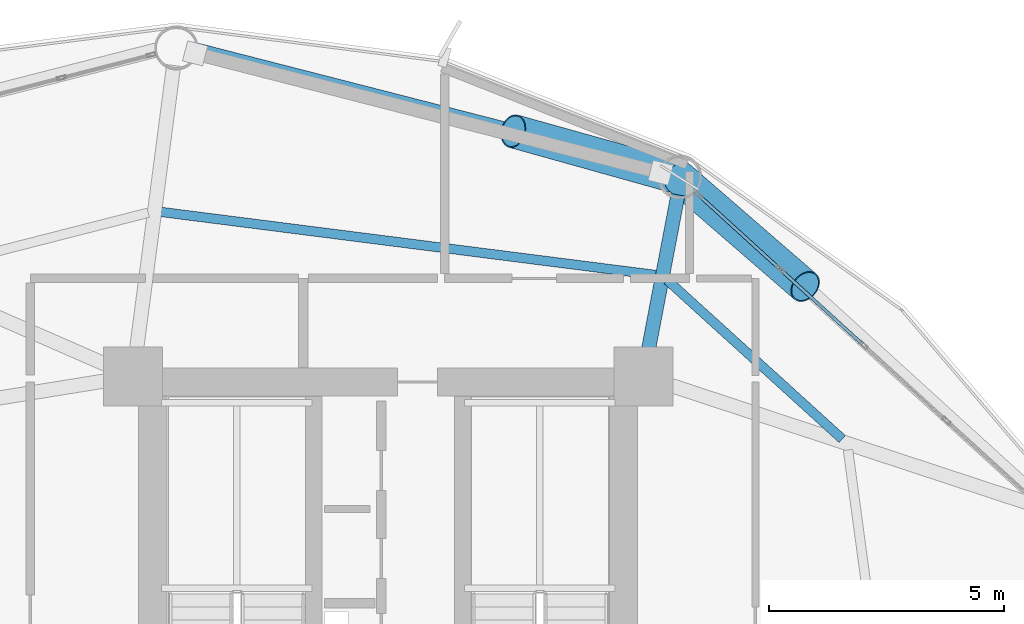
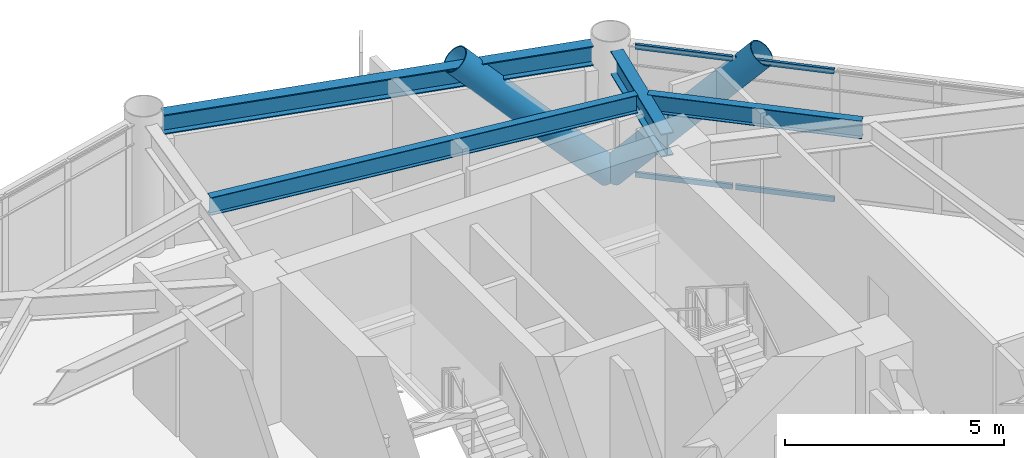
# One storey, part 17 of 25: 6 members, 4 beams, 1 element without a shape of its own.
"""IFC4 building model written with IfcOpenShell, lengths in metres."""

from ifc_helpers import new_model, si_unit, direction, frame, origin, origin_2d, place, context, subcontext, project, spatial, hollow_rectangle, hollow_circle, i_section, extrude, material, layer, layer_set, material_profile, profile_set, type_object, element, aggregate, save


model = new_model("IFC4")

# Units and contexts
model_context = context("Model", 3, precision=1e-05, world=origin(), true_north=direction((0.0, 1.0)))
body_context = subcontext(model_context, "Body", "Model", "MODEL_VIEW")
ifc_project = project(units=[si_unit("LENGTHUNIT", "METRE"), si_unit("AREAUNIT", "SQUARE_METRE"), si_unit("VOLUMEUNIT", "CUBIC_METRE"), si_unit("PLANEANGLEUNIT", "RADIAN"), si_unit("MASSUNIT", "GRAM", prefix="KILO")], contexts=[model_context])

# Site, building, storey
site_placement = place(None, origin())
site = spatial("IfcSite", under=ifc_project, at=site_placement, CompositionType="ELEMENT")
building_placement = place(site_placement, origin())
building = spatial("IfcBuilding", under=site, at=building_placement, Name="Varnakorn Sky Granary", CompositionType="ELEMENT")
storey_placement = place(building_placement, frame((0.0, 0.0, 62.699951171875)))
storey = spatial("IfcBuildingStorey", under=building, at=storey_placement, Name="L15", CompositionType="ELEMENT", Elevation=62.699951171875)

# Beams
ifc_material_1 = material(Name="Steel S355JR", Category="steel")
ifc_material_profile_1 = material_profile(ifc_material_1, i_section(OverallWidth=0.300048828125, OverallDepth=0.64990234375, WebThickness=0.01611328125, FlangeThickness=0.031005859375, at=origin_2d()), Name="HE 650 B")
ifc_profile_set_1 = profile_set([ifc_material_profile_1], Name="Steel S355JR")
beam_type_1 = type_object("IfcBeamType", Name="BM-RAD-Z1", PredefinedType="BEAM", material=ifc_profile_set_1)
beam_1_placement = place(storey_placement, frame((8.49853515625, 13.03271484375, 3.31494140625), z_axis=(0.187041709748, 0.982351972978, 0.0), x_axis=(-0.982351972978, 0.187041709748, 0.0)))
element("IfcBeam", 1, at=beam_1_placement, inside=storey, type_object=beam_type_1, Name="Radial Floor Girder RG03 L15", PredefinedType="BEAM", context=body_context, shape_type="SweptSolid", body=[
    extrude(i_section(OverallWidth=0.300048828125, OverallDepth=0.64990234375, WebThickness=0.01611328125, FlangeThickness=0.031005859375, at=origin_2d()), origin(), (0.0, 0.0, 1.0), 3.505859375),
])
ifc_material_profile_2 = material_profile(ifc_material_1, i_section(OverallWidth=0.199951171875, OverallDepth=0.5, WebThickness=0.01025390625, FlangeThickness=0.01611328125, at=origin_2d()), Name="IPE 500")
ifc_profile_set_2 = profile_set([ifc_material_profile_2], Name="Steel S355JR")
beam_type_2 = type_object("IfcBeamType", Name="BM-SEC-Z1", PredefinedType="BEAM", material=ifc_profile_set_2)
beam_2_placement = place(storey_placement, frame((12.644287109375, 11.289306640625, 3.39013671875), z_axis=(-0.740448606315, 0.67211298262, 0.0), x_axis=(-0.67211298262, -0.740448606315, 0.0)))
element("IfcBeam", 2, at=beam_2_placement, inside=storey, type_object=beam_type_2, Name="Secondary Floor Chord Beam MSB02 L15", PredefinedType="BEAM", context=body_context, shape_type="SweptSolid", body=[
    extrude(i_section(OverallWidth=0.199951171875, OverallDepth=0.5, WebThickness=0.01025390625, FlangeThickness=0.01611328125, at=origin_2d()), origin(), (0.0, 0.0, 1.0), 5.01611328125),
])
beam_3_placement = place(storey_placement, frame((8.6875, 14.7724609375, 3.39013671875), z_axis=(-0.991971811808, 0.126459181472, 0.0), x_axis=(-0.126459181472, -0.991971811808, 0.0)))
element("IfcBeam", 3, at=beam_3_placement, inside=storey, type_object=beam_type_2, Name="Secondary Floor Chord Beam MSB03 L15", PredefinedType="BEAM", context=body_context, shape_type="SweptSolid", body=[
    extrude(i_section(OverallWidth=0.199951171875, OverallDepth=0.5, WebThickness=0.01025390625, FlangeThickness=0.01611328125, at=origin_2d()), origin(), (0.0, 0.0, 1.0), 10.594970703125),
])
ifc_material_profile_3 = material_profile(ifc_material_1, i_section(OverallWidth=0.300048828125, OverallDepth=0.550048828125, WebThickness=0.014892578125, FlangeThickness=0.029052734375, at=origin_2d()), Name="HE 550 B")
ifc_profile_set_3 = profile_set([ifc_material_profile_3], Name="Steel S355JR")
beam_type_3 = type_object("IfcBeamType", Name="BM-SPD-Z1", PredefinedType="SPANDREL", material=ifc_profile_set_3)
beam_4_placement = place(storey_placement, frame((8.808837890625, 17.0205078125, 3.364990234375), z_axis=(-0.968705197596, 0.248214101432, 0.0), x_axis=(-0.248214101432, -0.968705197596, 0.0)))
element("IfcBeam", 4, at=beam_4_placement, inside=storey, type_object=beam_type_3, Name="Perimeter Spandrel Ring Beam RB03 L15", PredefinedType="SPANDREL", context=body_context, shape_type="SweptSolid", body=[
    extrude(i_section(OverallWidth=0.300048828125, OverallDepth=0.550048828125, WebThickness=0.014892578125, FlangeThickness=0.029052734375, at=origin_2d()), origin(), (0.0, 0.0, 1.0), 10.19970703125),
])

# Curtain wall, members
ifc_material_2 = material(Name="Anodised Bronze Aluminium Alloy 6063-T6", Category="aluminium")
ifc_layer = layer(ifc_material_2, 0.18994140625, Name="Anodised Bronze Aluminium Alloy 6063-T6")
ifc_layer_set = layer_set([ifc_layer], Name="Anodised Bronze Aluminium Alloy 6063-T6")
curtain_wall_type = type_object("IfcCurtainWallType", Name="CW-FRM-1", PredefinedType="USERDEFINED", material=ifc_layer_set)
curtain_wall_placement = place(storey_placement, origin())
curtain_wall = element("IfcCurtainWall", 5, at=curtain_wall_placement, inside=storey, type_object=curtain_wall_type, Name="Unitised Curtain Wall CW3 CW-L15-B02", ObjectType="CURTAIN WALL", PredefinedType="USERDEFINED")
ifc_material_profile_4 = material_profile(ifc_material_2, hollow_rectangle(XDim=0.070068359375, YDim=0.139892578125, WallThickness=0.00341796875, at=origin_2d()), Name="ALU TRAN 70x140")
ifc_profile_set_4 = profile_set([ifc_material_profile_4], Name="Anodised Bronze Aluminium Alloy 6063-T6")
member_type_1 = type_object("IfcMemberType", Name="CW-FRM-1-TRAN", PredefinedType="USERDEFINED", material=ifc_profile_set_4)
member_1_placement = place(storey_placement, frame((9.61962890625, 16.447265625, 0.03515625), z_axis=(0.739615443483, -0.673029713877, 0.0), x_axis=(0.673029713877, 0.739615443483, 0.0)))
member_1 = element("IfcMember", 6, at=member_1_placement, type_object=member_type_1, Name="CW3 transom 1.1", ObjectType="TRANSOM", PredefinedType="USERDEFINED", context=body_context, shape_type="SweptSolid", body=[
    extrude(hollow_rectangle(XDim=0.070068359375, YDim=0.139892578125, WallThickness=0.00341796875, at=origin_2d()), origin(), (0.0, 0.0, 1.0), 2.280517578125),
])
member_2_placement = place(storey_placement, frame((9.61962890625, 16.447265625, 3.60498046875), z_axis=(0.739615443483, -0.673029713877, 0.0), x_axis=(0.673029713877, 0.739615443483, 0.0)))
member_2 = element("IfcMember", 7, at=member_2_placement, type_object=member_type_1, Name="CW3 transom 1.2", ObjectType="TRANSOM", PredefinedType="USERDEFINED", context=body_context, shape_type="SweptSolid", body=[
    extrude(hollow_rectangle(XDim=0.070068359375, YDim=0.139892578125, WallThickness=0.00341796875, at=origin_2d()), origin(), (0.0, 0.0, 1.0), 2.280517578125),
])
member_3_placement = place(storey_placement, frame((11.358154296875, 14.865234375, 0.03515625), z_axis=(0.739639432973, -0.673003350059, 0.0), x_axis=(0.673003350059, 0.739639432973, 0.0)))
member_3 = element("IfcMember", 8, at=member_3_placement, type_object=member_type_1, Name="CW3 transom 2.1", ObjectType="TRANSOM", PredefinedType="USERDEFINED", context=body_context, shape_type="SweptSolid", body=[
    extrude(hollow_rectangle(XDim=0.070068359375, YDim=0.139892578125, WallThickness=0.00341796875, at=origin_2d()), origin(), (0.0, 0.0, 1.0), 2.3154296875),
])
member_4_placement = place(storey_placement, frame((11.358154296875, 14.865234375, 3.60498046875), z_axis=(0.739639432973, -0.673003350059, 0.0), x_axis=(0.673003350059, 0.739639432973, 0.0)))
member_4 = element("IfcMember", 9, at=member_4_placement, type_object=member_type_1, Name="CW3 transom 2.2", ObjectType="TRANSOM", PredefinedType="USERDEFINED", context=body_context, shape_type="SweptSolid", body=[
    extrude(hollow_rectangle(XDim=0.070068359375, YDim=0.139892578125, WallThickness=0.00341796875, at=origin_2d()), origin(), (0.0, 0.0, 1.0), 2.3154296875),
])
aggregate(curtain_wall, [member_1, member_2, member_3, member_4])

# Members
ifc_material_3 = material(Name="Steel S460M", Category="steel")
ifc_material_profile_5 = material_profile(ifc_material_3, hollow_circle(Radius=0.35546875, WallThickness=0.02490234375, at=origin_2d()), Name="CHS 711x25")
ifc_profile_set_5 = profile_set([ifc_material_profile_5], Name="Steel S460M")
member_type_2 = type_object("IfcMemberType", Name="MB-DIAG-T0", PredefinedType="BRACE", material=ifc_profile_set_5)
member_5_placement = place(storey_placement, frame((9.185546875, 16.842529296875, 0.0), z_axis=(0.515482522436, -0.446559936956, 0.731342595347), x_axis=(0.654770106365, 0.755828094087, 0.0)))
element("IfcMember", 10, at=member_5_placement, inside=storey, type_object=member_type_2, Name="Perimeter CHS Diagrid Brace DG02 L15", PredefinedType="BRACE", context=body_context, shape_type="SweptSolid", body=[
    extrude(hollow_circle(Radius=0.35546875, WallThickness=0.02490234375, at=origin_2d()), origin(), (0.0, 0.0, 1.0), 5.182373046875),
])
member_6_placement = place(storey_placement, frame((9.185546875, 16.842529296875, 0.0), z_axis=(-0.669295728084, 0.186952561322, 0.719091070855), x_axis=(-0.269029066803, -0.963132058035, 0.0)))
element("IfcMember", 11, at=member_6_placement, inside=storey, type_object=member_type_2, Name="Perimeter CHS Diagrid Brace DG03 L15", PredefinedType="BRACE", context=body_context, shape_type="SweptSolid", body=[
    extrude(hollow_circle(Radius=0.35546875, WallThickness=0.02490234375, at=origin_2d()), origin(), (0.0, 0.0, 1.0), 5.2705078125),
])

save(model, "model.ifc")
